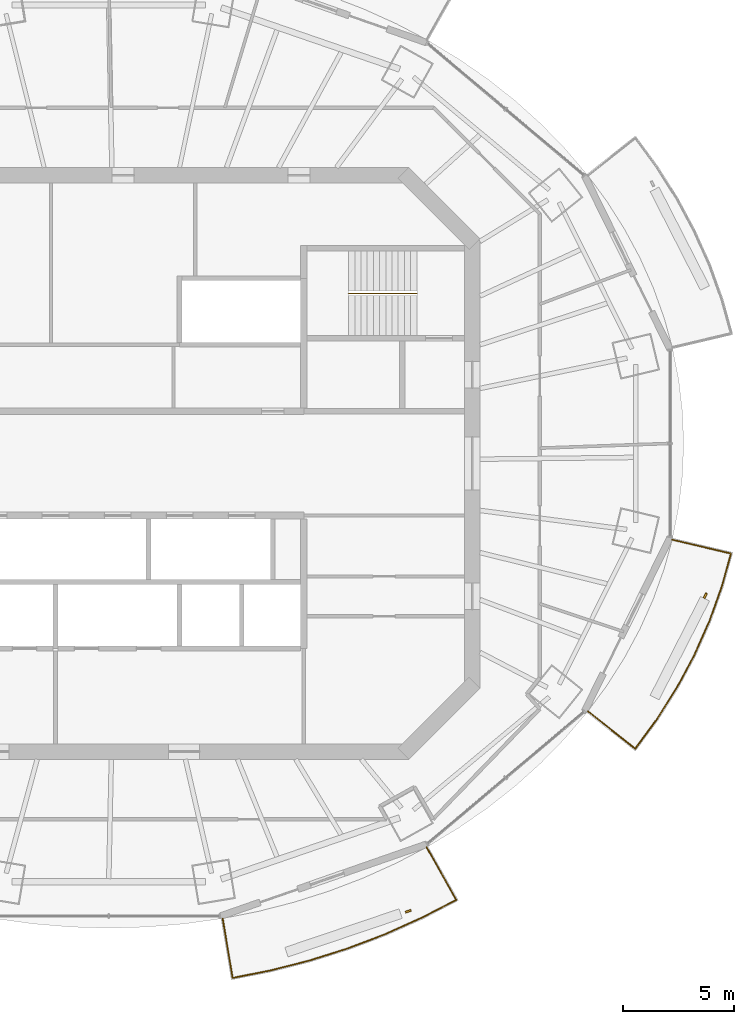
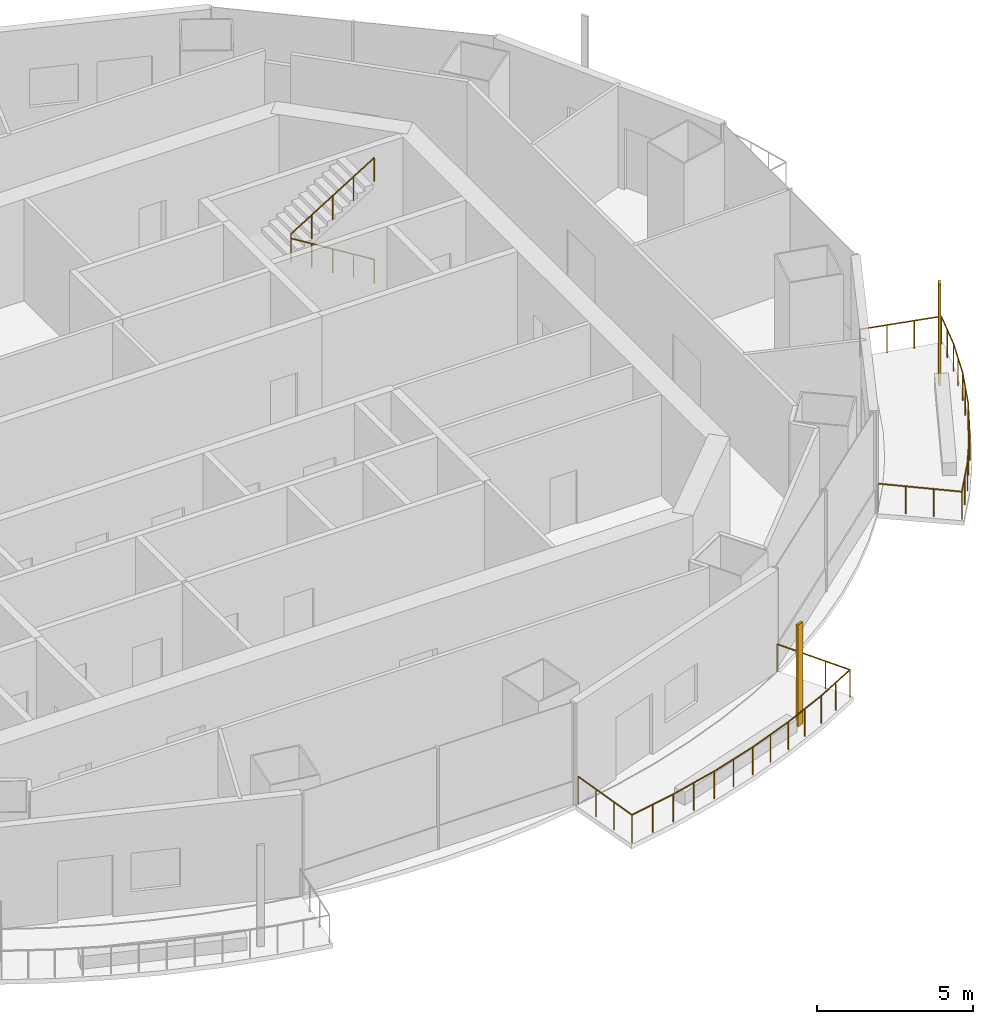
# One storey, part 13 of 16: 3 railings, 2 shading devices.
"""IFC4 building model written with IfcOpenShell, lengths in metres."""

from ifc_helpers import new_model, si_unit, direction, frame, origin, origin_2d, place, context, subcontext, project, spatial, rectangle, circle, extrude, material, material_profile, profile_set, type_object, element, save


model = new_model("IFC4")

# Units and contexts
model_context = context("Model", 3, precision=1e-05, world=origin(), true_north=direction((0.0, 1.0)))
body_context = subcontext(model_context, "Body", "Model", "MODEL_VIEW")
ifc_project = project(units=[si_unit("LENGTHUNIT", "METRE"), si_unit("AREAUNIT", "SQUARE_METRE"), si_unit("VOLUMEUNIT", "CUBIC_METRE"), si_unit("PLANEANGLEUNIT", "RADIAN"), si_unit("MASSUNIT", "GRAM", prefix="KILO")], contexts=[model_context])

# Site, building, storey
site_placement = place(None, origin())
site = spatial("IfcSite", under=ifc_project, at=site_placement, CompositionType="ELEMENT")
building_placement = place(site_placement, origin())
building = spatial("IfcBuilding", under=site, at=building_placement, Name="Marenthal Gate Tower", CompositionType="ELEMENT")
storey_placement = place(building_placement, frame((0.0, 0.0, 379.949951171875)))
storey = spatial("IfcBuildingStorey", under=building, at=storey_placement, Name="L86", CompositionType="ELEMENT", Elevation=379.949951171875)

# Railings
ifc_material_1 = material(Name="Stainless steel", Category="steel")
railing_type_1 = type_object("IfcRailingType", Name="Balcony guard 1100", PredefinedType="GUARDRAIL", material=ifc_material_1)
railing_1_placement = place(storey_placement, frame((13.94287109375, -17.3193359375, 0.0)))
element("IfcRailing", 1, at=railing_1_placement, inside=storey, type_object=railing_type_1, Name="Balcony guard L86 bay 13", PredefinedType="GUARDRAIL", context=body_context, shape_type="SweptSolid", body=[
    extrude(circle(Radius=0.02392578125, at=origin_2d()), frame((0.0, 0.0, 1.076171875), z_axis=(0.491021790399, -0.871022934714, -0.014718986223), x_axis=(0.871117302978, 0.491074988624, 0.0)), (0.0, 0.0, 1.0), 2.72021484375),
    extrude(circle(Radius=0.02392578125, at=origin_2d()), frame((1.335693359375, -2.369384765625, 1.0361328125), z_axis=(-0.886322623965, -0.463068252257, 0.0), x_axis=(0.463068252257, -0.886322623965, 0.0)), (0.0, 0.0, 1.0), 1.7109375),
    extrude(circle(Radius=0.02392578125, at=origin_2d()), frame((-0.1806640625, -3.16162109375, 1.0361328125), z_axis=(-0.911738959801, -0.410770092851, 0.0), x_axis=(0.410770092851, -0.911738959801, 0.0)), (0.0, 0.0, 1.0), 1.802734375),
    extrude(circle(Radius=0.02392578125, at=origin_2d()), frame((-1.82421875, -3.902099609375, 1.0361328125), z_axis=(-0.934175957833, -0.356812667665, 0.0), x_axis=(0.356812667665, -0.934175957833, 0.0)), (0.0, 0.0, 1.0), 1.813232421875),
    extrude(circle(Radius=0.02392578125, at=origin_2d()), frame((-3.51806640625, -4.549072265625, 1.0361328125), z_axis=(-0.953191090515, -0.302368558158, 0.0), x_axis=(0.302368558158, -0.953191090515, 0.0)), (0.0, 0.0, 1.0), 1.822265625),
    extrude(circle(Radius=0.02392578125, at=origin_2d()), frame((-5.255126953125, -5.10009765625, 1.0361328125), z_axis=(-0.968818339515, -0.247772123168, 0.0), x_axis=(0.247772123168, -0.968818339515, 0.0)), (0.0, 0.0, 1.0), 1.830810546875),
    extrude(circle(Radius=0.02392578125, at=origin_2d()), frame((-7.02880859375, -5.5537109375, 1.0361328125), z_axis=(-0.980989908715, -0.194058751412, 0.0), x_axis=(0.194058751412, -0.980989908715, 0.0)), (0.0, 0.0, 1.0), 1.757568359375),
    extrude(circle(Radius=0.02392578125, at=origin_2d()), frame((-8.7529296875, -5.894775390625, 1.0361328125), z_axis=(-0.165414456926, 0.986114290962, 0.01471946334), x_axis=(-0.986221135368, -0.165432379401, 0.0)), (0.0, 0.0, 1.0), 2.72021484375),
    extrude(circle(Radius=0.02099609375, at=origin_2d()), origin(), (0.0, 0.0, 1.0), 1.052001953125),
    extrude(circle(Radius=0.02099609375, at=origin_2d()), frame((0.4453125, -0.789794921875, -0.013427734375)), (0.0, 0.0, 1.0), 1.052001953125),
    extrude(circle(Radius=0.02099609375, at=origin_2d()), frame((0.890380859375, -1.57958984375, -0.026611328125)), (0.0, 0.0, 1.0), 1.052001953125),
    extrude(circle(Radius=0.02099609375, at=origin_2d()), frame((1.335693359375, -2.369384765625, -0.0400390625)), (0.0, 0.0, 1.0), 1.052001953125),
    extrude(circle(Radius=0.02099609375, at=origin_2d()), frame((0.57763671875, -2.765625, -0.0400390625)), (0.0, 0.0, 1.0), 1.052001953125),
    extrude(circle(Radius=0.02099609375, at=origin_2d()), frame((-0.1806640625, -3.16162109375, -0.0400390625)), (0.0, 0.0, 1.0), 1.052001953125),
    extrude(circle(Radius=0.02099609375, at=origin_2d()), frame((-1.00244140625, -3.53173828125, -0.0400390625)), (0.0, 0.0, 1.0), 1.052001953125),
    extrude(circle(Radius=0.02099609375, at=origin_2d()), frame((-1.82421875, -3.902099609375, -0.0400390625)), (0.0, 0.0, 1.0), 1.052001953125),
    extrude(circle(Radius=0.02099609375, at=origin_2d()), frame((-2.671142578125, -4.2255859375, -0.0400390625)), (0.0, 0.0, 1.0), 1.052001953125),
    extrude(circle(Radius=0.02099609375, at=origin_2d()), frame((-3.51806640625, -4.549072265625, -0.0400390625)), (0.0, 0.0, 1.0), 1.052001953125),
    extrude(circle(Radius=0.02099609375, at=origin_2d()), frame((-4.38671875, -4.82470703125, -0.0400390625)), (0.0, 0.0, 1.0), 1.052001953125),
    extrude(circle(Radius=0.02099609375, at=origin_2d()), frame((-5.255126953125, -5.10009765625, -0.0400390625)), (0.0, 0.0, 1.0), 1.052001953125),
    extrude(circle(Radius=0.02099609375, at=origin_2d()), frame((-6.14208984375, -5.326904296875, -0.0400390625)), (0.0, 0.0, 1.0), 1.052001953125),
    extrude(circle(Radius=0.02099609375, at=origin_2d()), frame((-7.02880859375, -5.5537109375, -0.0400390625)), (0.0, 0.0, 1.0), 1.052001953125),
    extrude(circle(Radius=0.02099609375, at=origin_2d()), frame((-7.890869140625, -5.72412109375, -0.0400390625)), (0.0, 0.0, 1.0), 1.052001953125),
    extrude(circle(Radius=0.02099609375, at=origin_2d()), frame((-8.7529296875, -5.894775390625, -0.0400390625)), (0.0, 0.0, 1.0), 1.052001953125),
    extrude(circle(Radius=0.02099609375, at=origin_2d()), frame((-8.90283203125, -5.000732421875, -0.026611328125)), (0.0, 0.0, 1.0), 1.052001953125),
    extrude(circle(Radius=0.02099609375, at=origin_2d()), frame((-9.052978515625, -4.1064453125, -0.013427734375)), (0.0, 0.0, 1.0), 1.052001953125),
    extrude(circle(Radius=0.02099609375, at=origin_2d()), frame((-9.202880859375, -3.21240234375, 0.0)), (0.0, 0.0, 1.0), 1.052001953125),
])
railing_2_placement = place(storey_placement, frame((25.025146484375, -3.443359375, 0.0)))
element("IfcRailing", 2, at=railing_2_placement, inside=storey, type_object=railing_type_1, Name="Balcony guard L86 bay 15", PredefinedType="GUARDRAIL", context=body_context, shape_type="SweptSolid", body=[
    extrude(circle(Radius=0.02392578125, at=origin_2d()), frame((0.0, 0.0, 1.076171875), z_axis=(0.973202156383, -0.229479704341, -0.014718291557), x_axis=(0.229504564257, 0.973307584983, 0.0)), (0.0, 0.0, 1.0), 2.720458984375),
    extrude(circle(Radius=0.02392578125, at=origin_2d()), frame((2.6474609375, -0.624267578125, 1.0361328125), z_axis=(-0.268460599739, -0.963290665577, 0.0), x_axis=(0.963290665577, -0.268460599739, 0.0)), (0.0, 0.0, 1.0), 1.572265625),
    extrude(circle(Radius=0.02392578125, at=origin_2d()), frame((2.225341796875, -2.138916015625, 1.0361328125), z_axis=(-0.338563156163, -0.940943669562, 0.0), x_axis=(0.940943669562, -0.338563156163, 0.0)), (0.0, 0.0, 1.0), 1.6591796875),
    extrude(circle(Radius=0.02392578125, at=origin_2d()), frame((1.66357421875, -3.7001953125, 1.0361328125), z_axis=(-0.407659561492, -0.913133989031, 0.0), x_axis=(0.913133989031, -0.407659561492, 0.0)), (0.0, 0.0, 1.0), 1.667236328125),
    extrude(circle(Radius=0.02392578125, at=origin_2d()), frame((0.98388671875, -5.22265625, 1.0361328125), z_axis=(-0.473457232822, -0.880816807679, 0.0), x_axis=(0.880816807679, -0.473457232822, 0.0)), (0.0, 0.0, 1.0), 1.677001953125),
    extrude(circle(Radius=0.02392578125, at=origin_2d()), frame((0.18994140625, -6.69970703125, 1.0361328125), z_axis=(-0.535461509908, -0.844559631646, 0.0), x_axis=(0.844559631646, -0.535461509908, 0.0)), (0.0, 0.0, 1.0), 1.68798828125),
    extrude(circle(Radius=0.02392578125, at=origin_2d()), frame((-0.7138671875, -8.125244140625, 1.0361328125), z_axis=(-0.592278211016, -0.805733529621, 0.0), x_axis=(0.805733529621, -0.592278211016, 0.0)), (0.0, 0.0, 1.0), 1.61962890625),
    extrude(circle(Radius=0.02392578125, at=origin_2d()), frame((-1.673095703125, -9.43017578125, 1.0361328125), z_axis=(-0.783848051765, 0.620778220066, 0.014718465822), x_axis=(-0.62084547159, -0.783932969332, 0.0)), (0.0, 0.0, 1.0), 2.72021484375),
    extrude(circle(Radius=0.02099609375, at=origin_2d()), origin(), (0.0, 0.0, 1.0), 1.052001953125),
    extrude(circle(Radius=0.02099609375, at=origin_2d()), frame((0.882568359375, -0.2080078125, -0.013427734375)), (0.0, 0.0, 1.0), 1.052001953125),
    extrude(circle(Radius=0.02099609375, at=origin_2d()), frame((1.764892578125, -0.416259765625, -0.026611328125)), (0.0, 0.0, 1.0), 1.052001953125),
    extrude(circle(Radius=0.02099609375, at=origin_2d()), frame((2.6474609375, -0.624267578125, -0.0400390625)), (0.0, 0.0, 1.0), 1.052001953125),
    extrude(circle(Radius=0.02099609375, at=origin_2d()), frame((2.4365234375, -1.381591796875, -0.0400390625)), (0.0, 0.0, 1.0), 1.052001953125),
    extrude(circle(Radius=0.02099609375, at=origin_2d()), frame((2.225341796875, -2.138916015625, -0.0400390625)), (0.0, 0.0, 1.0), 1.052001953125),
    extrude(circle(Radius=0.02099609375, at=origin_2d()), frame((1.9443359375, -2.91943359375, -0.0400390625)), (0.0, 0.0, 1.0), 1.052001953125),
    extrude(circle(Radius=0.02099609375, at=origin_2d()), frame((1.66357421875, -3.7001953125, -0.0400390625)), (0.0, 0.0, 1.0), 1.052001953125),
    extrude(circle(Radius=0.02099609375, at=origin_2d()), frame((1.32373046875, -4.46142578125, -0.0400390625)), (0.0, 0.0, 1.0), 1.052001953125),
    extrude(circle(Radius=0.02099609375, at=origin_2d()), frame((0.98388671875, -5.22265625, -0.0400390625)), (0.0, 0.0, 1.0), 1.052001953125),
    extrude(circle(Radius=0.02099609375, at=origin_2d()), frame((0.5869140625, -5.961181640625, -0.0400390625)), (0.0, 0.0, 1.0), 1.052001953125),
    extrude(circle(Radius=0.02099609375, at=origin_2d()), frame((0.18994140625, -6.69970703125, -0.0400390625)), (0.0, 0.0, 1.0), 1.052001953125),
    extrude(circle(Radius=0.02099609375, at=origin_2d()), frame((-0.261962890625, -7.41259765625, -0.0400390625)), (0.0, 0.0, 1.0), 1.052001953125),
    extrude(circle(Radius=0.02099609375, at=origin_2d()), frame((-0.7138671875, -8.125244140625, -0.0400390625)), (0.0, 0.0, 1.0), 1.052001953125),
    extrude(circle(Radius=0.02099609375, at=origin_2d()), frame((-1.193359375, -8.77783203125, -0.0400390625)), (0.0, 0.0, 1.0), 1.052001953125),
    extrude(circle(Radius=0.02099609375, at=origin_2d()), frame((-1.673095703125, -9.43017578125, -0.0400390625)), (0.0, 0.0, 1.0), 1.052001953125),
    extrude(circle(Radius=0.02099609375, at=origin_2d()), frame((-2.3837890625, -8.8671875, -0.026611328125)), (0.0, 0.0, 1.0), 1.052001953125),
    extrude(circle(Radius=0.02099609375, at=origin_2d()), frame((-3.0947265625, -8.304443359375, -0.013427734375)), (0.0, 0.0, 1.0), 1.052001953125),
    extrude(circle(Radius=0.02099609375, at=origin_2d()), frame((-3.805419921875, -7.741455078125, 0.0)), (0.0, 0.0, 1.0), 1.052001953125),
])
ifc_material_2 = material(Name="Stainless steel", Category="steel")
railing_type_2 = type_object("IfcRailingType", Name="Stair handrail", PredefinedType="HANDRAIL", material=ifc_material_2)
railing_3_placement = place(storey_placement, frame((13.5, 7.675048828125, 0.1728515625)))
element("IfcRailing", 3, at=railing_3_placement, inside=storey, type_object=railing_type_2, Name="Handrail ST3", PredefinedType="HANDRAIL", context=body_context, shape_type="SweptSolid", body=[
    extrude(circle(Radius=0.0224609375, at=origin_2d()), frame((0.0, 0.0, 0.927490234375), z_axis=(-0.850835241893, 0.0, 0.525432575268), x_axis=(0.0, -1.0, 0.0)), (0.0, 0.0, 1.0), 3.6201171875),
    extrude(circle(Radius=0.0224609375, at=origin_2d()), frame((-3.080078125, 0.0, 2.82958984375), z_axis=(0.0, 0.0, 1.0), x_axis=(1.0, 0.0, 0.0)), (0.0, 0.0, 1.0), 0.173095703125),
    extrude(circle(Radius=0.0224609375, at=origin_2d()), frame((-3.080078125, 0.0, 3.002685546875), z_axis=(0.850835241893, 0.0, 0.525432575268), x_axis=(0.0, 1.0, 0.0)), (0.0, 0.0, 1.0), 3.6201171875),
    extrude(circle(Radius=0.02001953125, at=origin_2d()), origin(), (0.0, 0.0, 1.0), 0.905029296875),
    extrude(circle(Radius=0.02001953125, at=origin_2d()), frame((-0.77001953125, 0.0, 0.4755859375)), (0.0, 0.0, 1.0), 0.905029296875),
    extrude(circle(Radius=0.02001953125, at=origin_2d()), frame((-1.5400390625, 0.0, 0.951171875)), (0.0, 0.0, 1.0), 0.905029296875),
    extrude(circle(Radius=0.02001953125, at=origin_2d()), frame((-2.31005859375, 0.0, 1.426513671875)), (0.0, 0.0, 1.0), 0.905029296875),
    extrude(circle(Radius=0.02001953125, at=origin_2d()), frame((-3.080078125, 0.0, 1.902099609375)), (0.0, 0.0, 1.0), 0.905029296875),
    extrude(circle(Radius=0.02001953125, at=origin_2d()), frame((-3.080078125, 0.0, 2.0751953125)), (0.0, 0.0, 1.0), 0.905029296875),
    extrude(circle(Radius=0.02001953125, at=origin_2d()), frame((-2.31005859375, 0.0, 2.55078125)), (0.0, 0.0, 1.0), 0.905029296875),
    extrude(circle(Radius=0.02001953125, at=origin_2d()), frame((-1.5400390625, 0.0, 3.0263671875)), (0.0, 0.0, 1.0), 0.905029296875),
    extrude(circle(Radius=0.02001953125, at=origin_2d()), frame((-0.77001953125, 0.0, 3.501708984375)), (0.0, 0.0, 1.0), 0.905029296875),
    extrude(circle(Radius=0.02001953125, at=origin_2d()), frame((0.0, 0.0, 3.977294921875)), (0.0, 0.0, 1.0), 0.905029296875),
])

# Shading devices
ifc_material_3 = material(Name="Terracotta", Category="masonry")
ifc_material_profile = material_profile(ifc_material_3, rectangle(XDim=0.25, YDim=0.080078125, at=origin_2d()), Name="Terracotta baguette 250x80")
ifc_profile_set = profile_set([ifc_material_profile], Name="Terracotta")
shading_device_type = type_object("IfcShadingDeviceType", Name="Terracotta BAGUETTE SCREEN 250x80", PredefinedType="USERDEFINED", material=ifc_profile_set)
for number, where, z_axis, x_axis, name in (
    (4, (13.11328125, -20.204833984375, -0.0400390625), (0.0, 0.0, 1.0), (0.944082187386, 0.329710211338, 0.0), "Terracotta BAGUETTE L86 bay 13R"),
    (5, (26.5126953125, -5.966796875, -0.0400390625), (0.0, 0.0, 1.0), (0.44093893362, 0.897537106096, 0.0), "Terracotta BAGUETTE L86 bay 15R"),
):
    element("IfcShadingDevice", number, at=place(storey_placement, frame(where, z_axis=z_axis, x_axis=x_axis)), inside=storey, type_object=shading_device_type, Name=name, ObjectType="BAGUETTE SCREEN", PredefinedType="USERDEFINED", context=body_context, shape_type="SweptSolid", body=[
        extrude(rectangle(XDim=0.25, YDim=0.080078125, at=origin_2d()), origin(), (0.0, 0.0, 1.0), 3.969970703125),
    ])

save(model, "model.ifc")
